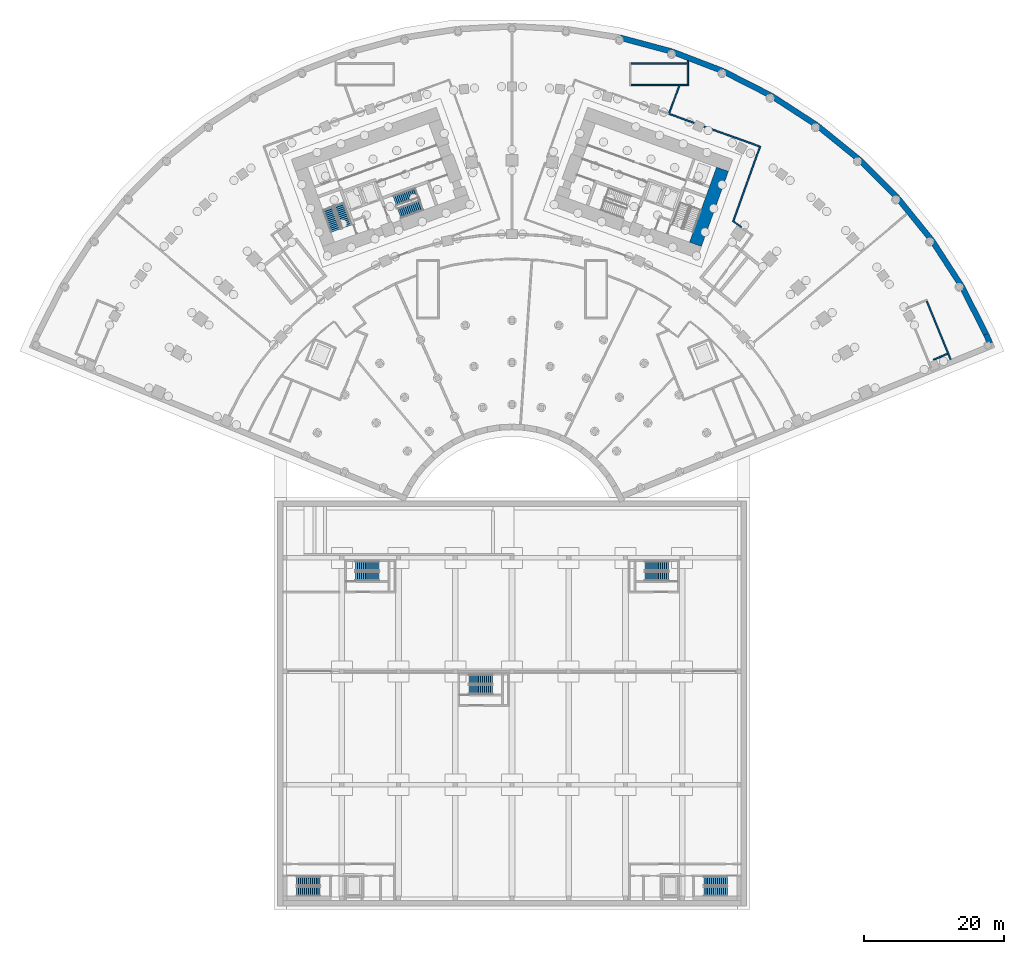
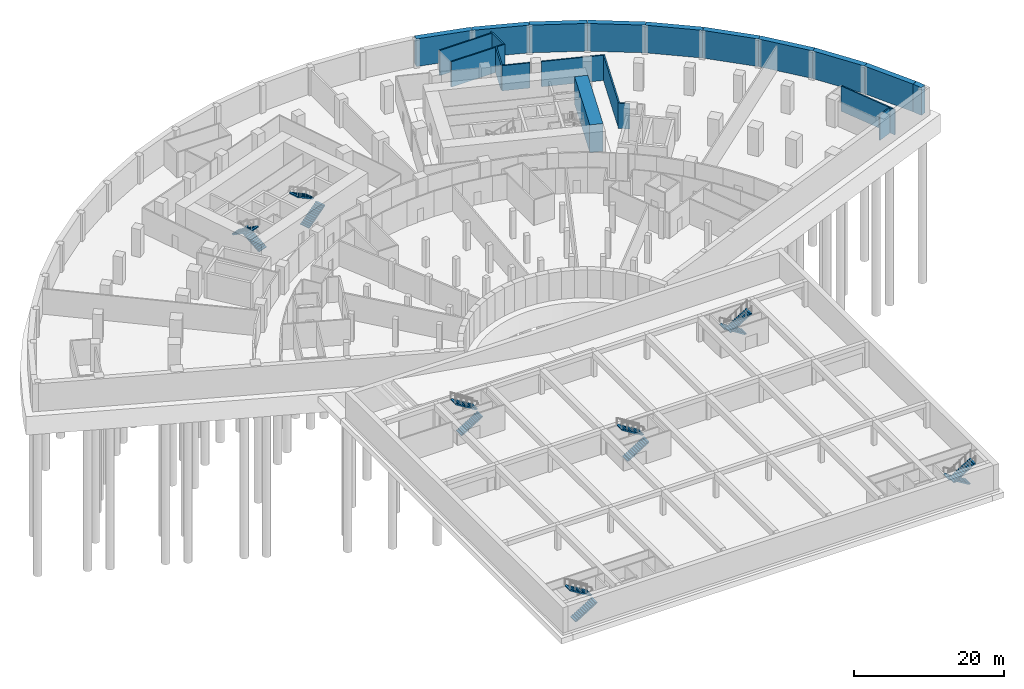
# One storey, part 15 of 25: 22 walls, 14 stair flights, 7 elements without a shape of their own.
"""IFC4 building model written with IfcOpenShell, lengths in metres."""

from ifc_helpers import new_model, si_unit, direction, frame, frame_2d, origin, place, context, subcontext, project, spatial, polyline, rectangle, outline, extrude, material, layer, layer_set, type_object, element, aggregate, save


model = new_model("IFC4")

# Units and contexts
model_context = context("Model", 3, precision=1e-05, world=origin(), true_north=direction((0.0, 1.0)))
body_context = subcontext(model_context, "Body", "Model", "MODEL_VIEW")
ifc_project = project(units=[si_unit("LENGTHUNIT", "METRE"), si_unit("AREAUNIT", "SQUARE_METRE"), si_unit("VOLUMEUNIT", "CUBIC_METRE"), si_unit("PLANEANGLEUNIT", "RADIAN"), si_unit("MASSUNIT", "GRAM", prefix="KILO")], contexts=[model_context])

# Site, building, storey
site_placement = place(None, origin())
site = spatial("IfcSite", under=ifc_project, at=site_placement, CompositionType="ELEMENT")
building_placement = place(site_placement, origin())
building = spatial("IfcBuilding", under=site, at=building_placement, Name="Stone Belt Terrace Tower", CompositionType="ELEMENT")
storey_placement = place(building_placement, frame((0.0, 0.0, -13.5)))
storey = spatial("IfcBuildingStorey", under=building, at=storey_placement, Name="B3", CompositionType="ELEMENT", Elevation=-13.5)

# Walls
ifc_material_1 = material(Name="Concrete B30", Category="concrete")
ifc_layer_1 = layer(ifc_material_1, 0.800048828125)
ifc_layer_set_1 = layer_set([ifc_layer_1], Name="Basement wall 800 B30")
wall_type_1 = type_object("IfcWallType", Name="Basement wall 800 B30", PredefinedType="SHEAR", material=ifc_layer_set_1)
wall_1_placement = place(storey_placement, frame((68.25, 28.837646484375, 0.0), z_axis=(0.0, 0.0, 1.0), x_axis=(-0.393052783466, 0.919515910362, 0.0)))
element("IfcWall", 1, at=wall_1_placement, inside=storey, type_object=wall_type_1, Name="Basement wall B3 24", PredefinedType="SHEAR", context=body_context, shape_type="SweptSolid", body=[
    extrude(rectangle(XDim=1.39453125, YDim=0.800048828125, at=frame_2d((0.697265625, 0.0))), origin(), (0.0, 0.0, 1.0), 4.5),
])
wall_2_placement = place(storey_placement, frame((67.6904296875, 30.144287109375, 0.0), z_axis=(0.0, 0.0, 1.0), x_axis=(-0.453998176185, 0.891002612803, 0.0)))
element("IfcWall", 2, at=wall_2_placement, inside=storey, type_object=wall_type_1, Name="Basement wall B3 25", PredefinedType="SHEAR", context=body_context, shape_type="SweptSolid", body=[
    extrude(rectangle(XDim=7.729248046875, YDim=0.800048828125, at=frame_2d((3.86474609375, 0.0))), origin(), (0.0, 0.0, 1.0), 4.5),
])
for number, where, z_axis, x_axis, name in (
    (3, (64.16064453125, 37.0673828125, 0.0), (0.0, 0.0, 1.0), (-0.544654589696, 0.838660466412, 0.0), "Basement wall B3 26"),
    (4, (59.9345703125, 43.57080078125, 0.0), (0.0, 0.0, 1.0), (-0.629319306922, 0.777146839365, 0.0), "Basement wall B3 27"),
    (5, (55.0517578125, 49.596923828125, 0.0), (0.0, 0.0, 1.0), (-0.707106781187, 0.707106781187, 0.0), "Basement wall B3 28"),
    (6, (49.56591796875, 55.079833984375, 0.0), (0.0, 0.0, 1.0), (-0.777146839365, 0.629319306922, 0.0), "Basement wall B3 29"),
    (7, (43.537109375, 59.958984375, 0.0), (0.0, 0.0, 1.0), (-0.838660466412, 0.544654589696, 0.0), "Basement wall B3 30"),
):
    element("IfcWall", number, at=place(storey_placement, frame(where, z_axis=z_axis, x_axis=x_axis)), inside=storey, type_object=wall_type_1, Name=name, PredefinedType="SHEAR", context=body_context, shape_type="SweptSolid", body=[
        extrude(rectangle(XDim=7.71435546875, YDim=0.800048828125, at=frame_2d((3.857177734375, 0.0))), origin(), (0.0, 0.0, 1.0), 4.5),
    ])
wall_3_placement = place(storey_placement, frame((37.031005859375, 64.181396484375, 0.0), z_axis=(0.0, 0.0, 1.0), x_axis=(-0.89100229919, 0.45399879167, 0.0)))
element("IfcWall", 8, at=wall_3_placement, inside=storey, type_object=wall_type_1, Name="Basement wall B3 31", PredefinedType="SHEAR", context=body_context, shape_type="SweptSolid", body=[
    extrude(rectangle(XDim=7.714111328125, YDim=0.800048828125, at=frame_2d((3.85693359375, 0.0))), origin(), (0.0, 0.0, 1.0), 4.5),
])
wall_4_placement = place(storey_placement, frame((30.119384765625, 67.70068359375, 0.0), z_axis=(0.0, 0.0, 1.0), x_axis=(-0.933576245877, 0.358378840243, 0.0)))
element("IfcWall", 9, at=wall_4_placement, inside=storey, type_object=wall_type_1, Name="Basement wall B3 32", PredefinedType="SHEAR", context=body_context, shape_type="SweptSolid", body=[
    extrude(rectangle(XDim=7.71435546875, YDim=0.800048828125, at=frame_2d((3.857177734375, 0.0))), origin(), (0.0, 0.0, 1.0), 4.5),
])
wall_5_placement = place(storey_placement, frame((22.877685546875, 70.478271484375, 0.0), z_axis=(0.0, 0.0, 1.0), x_axis=(-0.965924317831, 0.25882467468, 0.0)))
element("IfcWall", 10, at=wall_5_placement, inside=storey, type_object=wall_type_1, Name="Basement wall B3 33", PredefinedType="SHEAR", context=body_context, shape_type="SweptSolid", body=[
    extrude(rectangle(XDim=7.714111328125, YDim=0.800048828125, at=frame_2d((3.85693359375, 0.0))), origin(), (0.0, 0.0, 1.0), 4.5),
])
ifc_material_2 = material(Name="Concrete B80", Category="concrete")
ifc_layer_2 = layer(ifc_material_2, 1.800048828125)
ifc_layer_set_2 = layer_set([ifc_layer_2], Name="Core wall 1800 B80")
wall_type_2 = type_object("IfcWallType", Name="Core wall 1800 B80", PredefinedType="SHEAR", material=ifc_layer_set_2)
wall_6_placement = place(storey_placement, frame((26.197509765625, 42.96728515625, 0.0), z_axis=(0.0, 0.0, 1.0), x_axis=(0.338625431531, 0.940921259788, 0.0)))
element("IfcWall", 11, at=wall_6_placement, inside=storey, type_object=wall_type_2, Name="Core B wall end_b B3", PredefinedType="SHEAR", context=body_context, shape_type="SweptSolid", body=[
    extrude(rectangle(XDim=11.400146484375, YDim=1.800048828125, at=frame_2d((5.7001953125, 0.0))), origin(), (0.0, 0.0, 1.0), 4.5),
])
ifc_material_3 = material(Name="Blockwork wall, plastered both faces", Category="masonry")
ifc_layer_3 = layer(ifc_material_3, 0.199951171875)
ifc_layer_set_3 = layer_set([ifc_layer_3], Name="Podium demising wall 200")
wall_type_3 = type_object("IfcWallType", Name="Podium demising wall 200", PredefinedType="PARTITIONING", material=ifc_layer_set_3)
wall_7_placement = place(storey_placement, frame((22.409912109375, 61.60009765625, 0.0), z_axis=(0.0, 0.0, 1.0), x_axis=(0.940959409468, -0.338519408209, 0.0)))
element("IfcWall", 12, at=wall_7_placement, inside=storey, type_object=wall_type_3, Name="Podium demising wall 200", PredefinedType="PARTITIONING", context=body_context, shape_type="SweptSolid", body=[
    extrude(rectangle(XDim=3.802978515625, YDim=0.199951171875, at=frame_2d((1.9013671875, 0.0))), origin(), (0.0, 0.0, 1.0), 4.10009765625),
])
wall_8_placement = place(storey_placement, frame((27.44580078125, 59.78857421875, 0.0), z_axis=(0.0, 0.0, 1.0), x_axis=(0.940971591523, -0.338485544663, 0.0)))
element("IfcWall", 13, at=wall_8_placement, inside=storey, type_object=wall_type_3, Name="Podium demising wall 200", PredefinedType="PARTITIONING", context=body_context, shape_type="SweptSolid", body=[
    extrude(rectangle(XDim=8.574462890625, YDim=0.199951171875, at=frame_2d((4.287109375, 0.0))), origin(), (0.0, 0.0, 1.0), 4.10009765625),
])
wall_9_placement = place(storey_placement, frame((22.453125, 61.691162109375, 0.0), z_axis=(0.0, 0.0, 1.0), x_axis=(0.342095472718, 0.93966519971, 0.0)))
element("IfcWall", 14, at=wall_9_placement, inside=storey, type_object=wall_type_3, Name="Podium demising wall 200", PredefinedType="PARTITIONING", context=body_context, shape_type="SweptSolid", body=[
    extrude(rectangle(XDim=4.39404296875, YDim=0.199951171875, at=frame_2d((2.197021484375, 0.0))), origin(), (0.0, 0.0, 1.0), 4.10009765625),
])
wall_10_placement = place(storey_placement, frame((31.505615234375, 46.331298828125, 0.0), z_axis=(0.0, 0.0, 1.0), x_axis=(0.809238714249, -0.587479959965, 0.0)))
element("IfcWall", 15, at=wall_10_placement, inside=storey, type_object=wall_type_3, Name="Podium demising wall 200", PredefinedType="PARTITIONING", context=body_context, shape_type="SweptSolid", body=[
    extrude(rectangle(XDim=1.553466796875, YDim=0.199951171875, at=frame_2d((0.77685546875, 0.0))), origin(), (0.0, 0.0, 1.0), 4.10009765625),
])
wall_11_placement = place(storey_placement, frame((31.6328125, 46.388671875, 0.0), z_axis=(0.0, 0.0, 1.0), x_axis=(0.338400660115, 0.941002121801, 0.0)))
element("IfcWall", 16, at=wall_11_placement, inside=storey, type_object=wall_type_3, Name="Podium demising wall 200", PredefinedType="PARTITIONING", context=body_context, shape_type="SweptSolid", body=[
    extrude(rectangle(XDim=11.091552734375, YDim=0.199951171875, at=frame_2d((5.5458984375, 0.0))), origin(), (0.0, 0.0, 1.0), 4.10009765625),
])
ifc_layer_4 = layer(ifc_material_1, 0.199951171875)
ifc_layer_set_4 = layer_set([ifc_layer_4], Name="Podium stair and shaft wall 200")
wall_type_4 = type_object("IfcWallType", Name="Podium stair and shaft wall 200", PredefinedType="SOLIDWALL", material=ifc_layer_set_4)
wall_12_placement = place(storey_placement, frame((16.989990234375, 65.719970703125, 0.0), z_axis=(0.0, 0.0, 1.0), x_axis=(1.0, 0.0, 0.0)))
element("IfcWall", 17, at=wall_12_placement, inside=storey, type_object=wall_type_4, Name="Podium stair and shaft wall 200", PredefinedType="SOLIDWALL", context=body_context, shape_type="SweptSolid", body=[
    extrude(rectangle(XDim=7.060302734375, YDim=0.199951171875, at=frame_2d((3.5302734375, 0.0))), origin(), (0.0, 0.0, 1.0), 4.10009765625),
])
wall_13_placement = place(storey_placement, frame((16.989990234375, 68.780029296875, 0.0), z_axis=(0.0, 0.0, 1.0), x_axis=(1.0, 0.0, 0.0)))
element("IfcWall", 18, at=wall_13_placement, inside=storey, type_object=wall_type_4, Name="Podium stair and shaft wall 200", PredefinedType="SOLIDWALL", context=body_context, shape_type="SweptSolid", body=[
    extrude(rectangle(XDim=8.02001953125, YDim=0.199951171875, at=frame_2d((4.010009765625, 0.0))), origin(), (0.0, 0.0, 1.0), 4.10009765625),
])
wall_14_placement = place(storey_placement, frame((24.05029296875, 65.719970703125, 0.0), z_axis=(0.0, 0.0, 1.0), x_axis=(1.0, 0.0, 0.0)))
element("IfcWall", 19, at=wall_14_placement, inside=storey, type_object=wall_type_4, Name="Podium stair and shaft wall 200", PredefinedType="SOLIDWALL", context=body_context, shape_type="SweptSolid", body=[
    extrude(rectangle(XDim=1.15966796875, YDim=0.199951171875, at=frame_2d((0.579833984375, 0.0))), origin(), (0.0, 0.0, 1.0), 4.10009765625),
])
wall_15_placement = place(storey_placement, frame((25.110107421875, 65.822021484375, 0.0), z_axis=(0.0, 0.0, 1.0), x_axis=(0.0, 1.0, 0.0)))
element("IfcWall", 20, at=wall_15_placement, inside=storey, type_object=wall_type_4, Name="Podium stair and shaft wall 200", PredefinedType="SOLIDWALL", context=body_context, shape_type="SweptSolid", body=[
    extrude(rectangle(XDim=3.334228515625, YDim=0.199951171875, at=frame_2d((1.6669921875, 0.0))), origin(), (0.0, 0.0, 1.0), 4.10009765625),
])
wall_16_placement = place(storey_placement, frame((59.218017578125, 34.887451171875, 0.0), z_axis=(0.0, 0.0, 1.0), x_axis=(0.379337507632, -0.925258372188, 0.0)))
element("IfcWall", 21, at=wall_16_placement, inside=storey, type_object=wall_type_4, Name="Podium stair and shaft wall 200", PredefinedType="SOLIDWALL", context=body_context, shape_type="SweptSolid", body=[
    extrude(rectangle(XDim=9.01025390625, YDim=0.199951171875, at=frame_2d((4.505126953125, 0.0))), origin(), (0.0, 0.0, 1.0), 4.10009765625),
])
wall_17_placement = place(storey_placement, frame((60.163818359375, 26.4912109375, 0.0), z_axis=(0.0, 0.0, 1.0), x_axis=(0.924790168115, 0.380477522278, 0.0)))
element("IfcWall", 22, at=wall_17_placement, inside=storey, type_object=wall_type_4, Name="Podium stair and shaft wall 200", PredefinedType="SOLIDWALL", context=body_context, shape_type="SweptSolid", body=[
    extrude(rectangle(XDim=2.2099609375, YDim=0.199951171875, at=frame_2d((1.10498046875, 0.0))), origin(), (0.0, 0.0, 1.0), 4.10009765625),
])

# Stair, stair flights
stair_type_1 = type_object("IfcStairType", Name="Car park stair 1200", PredefinedType="HALF_TURN_STAIR", material=ifc_material_1)
stair_1_placement = place(storey_placement, origin())
stair_1 = element("IfcStair", 23, at=stair_1_placement, inside=storey, type_object=stair_type_1, Name="B3 Car park stair 1", PredefinedType="HALF_TURN_STAIR")
ifc_layer_5 = layer(ifc_material_1, 0.14990234375)
ifc_layer_set_5 = layer_set([ifc_layer_5], Name="Car park stair flight 1200")
stair_flight_type_1 = type_object("IfcStairFlightType", Name="Car park stair flight 1200", PredefinedType="STRAIGHT", material=ifc_layer_set_5)
stair_flight_1_placement = place(storey_placement, frame((-30.75, -49.425048828125, 0.0), z_axis=(0.0, 0.0, 1.0), x_axis=(1.0, 0.0, 0.0)))
stair_flight_1 = element("IfcStairFlight", 24, at=stair_flight_1_placement, type_object=stair_flight_type_1, Name="CS1 flight 1", NumberOfRisers=13, NumberOfTreads=12, PredefinedType="STRAIGHT", RiserHeight=0.173076923, TreadLength=0.28, context=body_context, shape_type="SweptSolid", body=[
    extrude(outline(polyline([(0.0, 0.0), (0.0, 0.173095703125), (0.280029296875, 0.173095703125), (0.280029296875, 0.34619140625), (0.56005859375, 0.34619140625), (0.56005859375, 0.519287109375), (0.840087890625, 0.519287109375), (0.840087890625, 0.6923828125), (1.1201171875, 0.6923828125), (1.1201171875, 0.865478515625), (1.39990234375, 0.865478515625), (1.39990234375, 1.03857421875), (1.679931640625, 1.03857421875), (1.679931640625, 1.21142578125), (1.9599609375, 1.21142578125), (1.9599609375, 1.384521484375), (2.239990234375, 1.384521484375), (2.239990234375, 1.5576171875), (2.52001953125, 1.5576171875), (2.52001953125, 1.730712890625), (2.800048828125, 1.730712890625), (2.800048828125, 1.90380859375), (3.080078125, 1.90380859375), (3.080078125, 2.076904296875), (3.360107421875, 2.076904296875), (3.360107421875, 2.25), (3.360107421875, 1.900634765625), (0.28515625, 0.0), (0.0, 0.0)])), frame((0.0, 0.675048828125, 0.0), z_axis=(0.0, -1.0, 0.0), x_axis=(1.0, 0.0, 0.0)), (0.0, 0.0, 1.0), 1.35009765625),
])
stair_flight_2_placement = place(storey_placement, frame((-27.389892578125, -47.97509765625, 2.25), z_axis=(0.0, 0.0, 1.0), x_axis=(-1.0, 0.0, 0.0)))
stair_flight_2 = element("IfcStairFlight", 25, at=stair_flight_2_placement, type_object=stair_flight_type_1, Name="CS1 flight 2", NumberOfRisers=13, NumberOfTreads=12, PredefinedType="STRAIGHT", RiserHeight=0.173076923, TreadLength=0.28, context=body_context, shape_type="SweptSolid", body=[
    extrude(outline(polyline([(0.0, 0.0), (0.0, 0.173095703125), (0.280029296875, 0.173095703125), (0.280029296875, 0.34619140625), (0.56005859375, 0.34619140625), (0.56005859375, 0.519287109375), (0.840087890625, 0.519287109375), (0.840087890625, 0.6923828125), (1.1201171875, 0.6923828125), (1.1201171875, 0.865478515625), (1.39990234375, 0.865478515625), (1.39990234375, 1.03857421875), (1.679931640625, 1.03857421875), (1.679931640625, 1.21142578125), (1.9599609375, 1.21142578125), (1.9599609375, 1.384521484375), (2.239990234375, 1.384521484375), (2.239990234375, 1.5576171875), (2.52001953125, 1.5576171875), (2.52001953125, 1.730712890625), (2.800048828125, 1.730712890625), (2.800048828125, 1.90380859375), (3.080078125, 1.90380859375), (3.080078125, 2.076904296875), (3.360107421875, 2.076904296875), (3.360107421875, 2.25), (3.360107421875, 1.900634765625), (0.28515625, 0.0), (0.0, 0.0)])), frame((0.0, 0.675048828125, 0.0), z_axis=(0.0, -1.0, 0.0), x_axis=(1.0, 0.0, 0.0)), (0.0, 0.0, 1.0), 1.35009765625),
])
aggregate(stair_1, [stair_flight_1, stair_flight_2])

stair_2_placement = place(storey_placement, origin())
stair_2 = element("IfcStair", 26, at=stair_2_placement, inside=storey, type_object=stair_type_1, Name="B3 Car park stair 2", PredefinedType="HALF_TURN_STAIR")
stair_flight_3_placement = place(storey_placement, frame((30.75, -47.97509765625, 0.0), z_axis=(0.0, 0.0, 1.0), x_axis=(-1.0, 0.0, 0.0)))
stair_flight_3 = element("IfcStairFlight", 27, at=stair_flight_3_placement, type_object=stair_flight_type_1, Name="CS2 flight 1", NumberOfRisers=13, NumberOfTreads=12, PredefinedType="STRAIGHT", RiserHeight=0.173076923, TreadLength=0.28, context=body_context, shape_type="SweptSolid", body=[
    extrude(outline(polyline([(0.0, 0.0), (0.0, 0.173095703125), (0.280029296875, 0.173095703125), (0.280029296875, 0.34619140625), (0.56005859375, 0.34619140625), (0.56005859375, 0.519287109375), (0.840087890625, 0.519287109375), (0.840087890625, 0.6923828125), (1.1201171875, 0.6923828125), (1.1201171875, 0.865478515625), (1.39990234375, 0.865478515625), (1.39990234375, 1.03857421875), (1.679931640625, 1.03857421875), (1.679931640625, 1.21142578125), (1.9599609375, 1.21142578125), (1.9599609375, 1.384521484375), (2.239990234375, 1.384521484375), (2.239990234375, 1.5576171875), (2.52001953125, 1.5576171875), (2.52001953125, 1.730712890625), (2.800048828125, 1.730712890625), (2.800048828125, 1.90380859375), (3.080078125, 1.90380859375), (3.080078125, 2.076904296875), (3.360107421875, 2.076904296875), (3.360107421875, 2.25), (3.360107421875, 1.900634765625), (0.28515625, 0.0), (0.0, 0.0)])), frame((0.0, 0.675048828125, 0.0), z_axis=(0.0, -1.0, 0.0), x_axis=(1.0, 0.0, 0.0)), (0.0, 0.0, 1.0), 1.35009765625),
])
stair_flight_4_placement = place(storey_placement, frame((27.389892578125, -49.425048828125, 2.25), z_axis=(0.0, 0.0, 1.0), x_axis=(1.0, 0.0, 0.0)))
stair_flight_4 = element("IfcStairFlight", 28, at=stair_flight_4_placement, type_object=stair_flight_type_1, Name="CS2 flight 2", NumberOfRisers=13, NumberOfTreads=12, PredefinedType="STRAIGHT", RiserHeight=0.173076923, TreadLength=0.28, context=body_context, shape_type="SweptSolid", body=[
    extrude(outline(polyline([(0.0, 0.0), (0.0, 0.173095703125), (0.280029296875, 0.173095703125), (0.280029296875, 0.34619140625), (0.56005859375, 0.34619140625), (0.56005859375, 0.519287109375), (0.840087890625, 0.519287109375), (0.840087890625, 0.6923828125), (1.1201171875, 0.6923828125), (1.1201171875, 0.865478515625), (1.39990234375, 0.865478515625), (1.39990234375, 1.03857421875), (1.679931640625, 1.03857421875), (1.679931640625, 1.21142578125), (1.9599609375, 1.21142578125), (1.9599609375, 1.384521484375), (2.239990234375, 1.384521484375), (2.239990234375, 1.5576171875), (2.52001953125, 1.5576171875), (2.52001953125, 1.730712890625), (2.800048828125, 1.730712890625), (2.800048828125, 1.90380859375), (3.080078125, 1.90380859375), (3.080078125, 2.076904296875), (3.360107421875, 2.076904296875), (3.360107421875, 2.25), (3.360107421875, 1.900634765625), (0.28515625, 0.0), (0.0, 0.0)])), frame((0.0, 0.675048828125, 0.0), z_axis=(0.0, -1.0, 0.0), x_axis=(1.0, 0.0, 0.0)), (0.0, 0.0, 1.0), 1.35009765625),
])
aggregate(stair_2, [stair_flight_3, stair_flight_4])

stair_3_placement = place(storey_placement, origin())
stair_3 = element("IfcStair", 29, at=stair_3_placement, inside=storey, type_object=stair_type_1, Name="B3 Car park stair 3", PredefinedType="HALF_TURN_STAIR")
stair_flight_5_placement = place(storey_placement, frame((-22.35009765625, -4.425048828125, 0.0), z_axis=(0.0, 0.0, 1.0), x_axis=(1.0, 0.0, 0.0)))
stair_flight_5 = element("IfcStairFlight", 30, at=stair_flight_5_placement, type_object=stair_flight_type_1, Name="CS3 flight 1", NumberOfRisers=13, NumberOfTreads=12, PredefinedType="STRAIGHT", RiserHeight=0.173076923, TreadLength=0.28, context=body_context, shape_type="SweptSolid", body=[
    extrude(outline(polyline([(0.0, 0.0), (0.0, 0.173095703125), (0.280029296875, 0.173095703125), (0.280029296875, 0.34619140625), (0.56005859375, 0.34619140625), (0.56005859375, 0.519287109375), (0.840087890625, 0.519287109375), (0.840087890625, 0.6923828125), (1.1201171875, 0.6923828125), (1.1201171875, 0.865478515625), (1.39990234375, 0.865478515625), (1.39990234375, 1.03857421875), (1.679931640625, 1.03857421875), (1.679931640625, 1.21142578125), (1.9599609375, 1.21142578125), (1.9599609375, 1.384521484375), (2.239990234375, 1.384521484375), (2.239990234375, 1.5576171875), (2.52001953125, 1.5576171875), (2.52001953125, 1.730712890625), (2.800048828125, 1.730712890625), (2.800048828125, 1.90380859375), (3.080078125, 1.90380859375), (3.080078125, 2.076904296875), (3.360107421875, 2.076904296875), (3.360107421875, 2.25), (3.360107421875, 1.900634765625), (0.28515625, 0.0), (0.0, 0.0)])), frame((0.0, 0.675048828125, 0.0), z_axis=(0.0, -1.0, 0.0), x_axis=(1.0, 0.0, 0.0)), (0.0, 0.0, 1.0), 1.35009765625),
])
stair_flight_6_placement = place(storey_placement, frame((-18.989990234375, -2.97509765625, 2.25), z_axis=(0.0, 0.0, 1.0), x_axis=(-1.0, 0.0, 0.0)))
stair_flight_6 = element("IfcStairFlight", 31, at=stair_flight_6_placement, type_object=stair_flight_type_1, Name="CS3 flight 2", NumberOfRisers=13, NumberOfTreads=12, PredefinedType="STRAIGHT", RiserHeight=0.173076923, TreadLength=0.28, context=body_context, shape_type="SweptSolid", body=[
    extrude(outline(polyline([(0.0, 0.0), (0.0, 0.173095703125), (0.280029296875, 0.173095703125), (0.280029296875, 0.34619140625), (0.56005859375, 0.34619140625), (0.56005859375, 0.519287109375), (0.840087890625, 0.519287109375), (0.840087890625, 0.6923828125), (1.1201171875, 0.6923828125), (1.1201171875, 0.865478515625), (1.39990234375, 0.865478515625), (1.39990234375, 1.03857421875), (1.679931640625, 1.03857421875), (1.679931640625, 1.21142578125), (1.9599609375, 1.21142578125), (1.9599609375, 1.384521484375), (2.239990234375, 1.384521484375), (2.239990234375, 1.5576171875), (2.52001953125, 1.5576171875), (2.52001953125, 1.730712890625), (2.800048828125, 1.730712890625), (2.800048828125, 1.90380859375), (3.080078125, 1.90380859375), (3.080078125, 2.076904296875), (3.360107421875, 2.076904296875), (3.360107421875, 2.25), (3.360107421875, 1.900634765625), (0.28515625, 0.0), (0.0, 0.0)])), frame((0.0, 0.675048828125, 0.0), z_axis=(0.0, -1.0, 0.0), x_axis=(1.0, 0.0, 0.0)), (0.0, 0.0, 1.0), 1.35009765625),
])
aggregate(stair_3, [stair_flight_5, stair_flight_6])

stair_4_placement = place(storey_placement, origin())
stair_4 = element("IfcStair", 32, at=stair_4_placement, inside=storey, type_object=stair_type_1, Name="B3 Car park stair 4", PredefinedType="HALF_TURN_STAIR")
stair_flight_7_placement = place(storey_placement, frame((22.35009765625, -2.97509765625, 0.0), z_axis=(0.0, 0.0, 1.0), x_axis=(-1.0, 0.0, 0.0)))
stair_flight_7 = element("IfcStairFlight", 33, at=stair_flight_7_placement, type_object=stair_flight_type_1, Name="CS4 flight 1", NumberOfRisers=13, NumberOfTreads=12, PredefinedType="STRAIGHT", RiserHeight=0.173076923, TreadLength=0.28, context=body_context, shape_type="SweptSolid", body=[
    extrude(outline(polyline([(0.0, 0.0), (0.0, 0.173095703125), (0.280029296875, 0.173095703125), (0.280029296875, 0.34619140625), (0.56005859375, 0.34619140625), (0.56005859375, 0.519287109375), (0.840087890625, 0.519287109375), (0.840087890625, 0.6923828125), (1.1201171875, 0.6923828125), (1.1201171875, 0.865478515625), (1.39990234375, 0.865478515625), (1.39990234375, 1.03857421875), (1.679931640625, 1.03857421875), (1.679931640625, 1.21142578125), (1.9599609375, 1.21142578125), (1.9599609375, 1.384521484375), (2.239990234375, 1.384521484375), (2.239990234375, 1.5576171875), (2.52001953125, 1.5576171875), (2.52001953125, 1.730712890625), (2.800048828125, 1.730712890625), (2.800048828125, 1.90380859375), (3.080078125, 1.90380859375), (3.080078125, 2.076904296875), (3.360107421875, 2.076904296875), (3.360107421875, 2.25), (3.360107421875, 1.900634765625), (0.28515625, 0.0), (0.0, 0.0)])), frame((0.0, 0.675048828125, 0.0), z_axis=(0.0, -1.0, 0.0), x_axis=(1.0, 0.0, 0.0)), (0.0, 0.0, 1.0), 1.35009765625),
])
stair_flight_8_placement = place(storey_placement, frame((18.989990234375, -4.425048828125, 2.25), z_axis=(0.0, 0.0, 1.0), x_axis=(1.0, 0.0, 0.0)))
stair_flight_8 = element("IfcStairFlight", 34, at=stair_flight_8_placement, type_object=stair_flight_type_1, Name="CS4 flight 2", NumberOfRisers=13, NumberOfTreads=12, PredefinedType="STRAIGHT", RiserHeight=0.173076923, TreadLength=0.28, context=body_context, shape_type="SweptSolid", body=[
    extrude(outline(polyline([(0.0, 0.0), (0.0, 0.173095703125), (0.280029296875, 0.173095703125), (0.280029296875, 0.34619140625), (0.56005859375, 0.34619140625), (0.56005859375, 0.519287109375), (0.840087890625, 0.519287109375), (0.840087890625, 0.6923828125), (1.1201171875, 0.6923828125), (1.1201171875, 0.865478515625), (1.39990234375, 0.865478515625), (1.39990234375, 1.03857421875), (1.679931640625, 1.03857421875), (1.679931640625, 1.21142578125), (1.9599609375, 1.21142578125), (1.9599609375, 1.384521484375), (2.239990234375, 1.384521484375), (2.239990234375, 1.5576171875), (2.52001953125, 1.5576171875), (2.52001953125, 1.730712890625), (2.800048828125, 1.730712890625), (2.800048828125, 1.90380859375), (3.080078125, 1.90380859375), (3.080078125, 2.076904296875), (3.360107421875, 2.076904296875), (3.360107421875, 2.25), (3.360107421875, 1.900634765625), (0.28515625, 0.0), (0.0, 0.0)])), frame((0.0, 0.675048828125, 0.0), z_axis=(0.0, -1.0, 0.0), x_axis=(1.0, 0.0, 0.0)), (0.0, 0.0, 1.0), 1.35009765625),
])
aggregate(stair_4, [stair_flight_7, stair_flight_8])

stair_5_placement = place(storey_placement, origin())
stair_5 = element("IfcStair", 35, at=stair_5_placement, inside=storey, type_object=stair_type_1, Name="B3 Car park stair 5", PredefinedType="HALF_TURN_STAIR")
stair_flight_9_placement = place(storey_placement, frame((-6.14990234375, -20.625, 0.0), z_axis=(0.0, 0.0, 1.0), x_axis=(1.0, 0.0, 0.0)))
stair_flight_9 = element("IfcStairFlight", 36, at=stair_flight_9_placement, type_object=stair_flight_type_1, Name="CS5 flight 1", NumberOfRisers=13, NumberOfTreads=12, PredefinedType="STRAIGHT", RiserHeight=0.173076923, TreadLength=0.28, context=body_context, shape_type="SweptSolid", body=[
    extrude(outline(polyline([(0.0, 0.0), (0.0, 0.173095703125), (0.280029296875, 0.173095703125), (0.280029296875, 0.34619140625), (0.56005859375, 0.34619140625), (0.56005859375, 0.519287109375), (0.840087890625, 0.519287109375), (0.840087890625, 0.6923828125), (1.1201171875, 0.6923828125), (1.1201171875, 0.865478515625), (1.39990234375, 0.865478515625), (1.39990234375, 1.03857421875), (1.679931640625, 1.03857421875), (1.679931640625, 1.21142578125), (1.9599609375, 1.21142578125), (1.9599609375, 1.384521484375), (2.239990234375, 1.384521484375), (2.239990234375, 1.5576171875), (2.52001953125, 1.5576171875), (2.52001953125, 1.730712890625), (2.800048828125, 1.730712890625), (2.800048828125, 1.90380859375), (3.080078125, 1.90380859375), (3.080078125, 2.076904296875), (3.360107421875, 2.076904296875), (3.360107421875, 2.25), (3.360107421875, 1.900634765625), (0.28515625, 0.0), (0.0, 0.0)])), frame((0.0, 0.675048828125, 0.0), z_axis=(0.0, -1.0, 0.0), x_axis=(1.0, 0.0, 0.0)), (0.0, 0.0, 1.0), 1.35009765625),
])
stair_flight_10_placement = place(storey_placement, frame((-2.7900390625, -19.175048828125, 2.25), z_axis=(0.0, 0.0, 1.0), x_axis=(-1.0, 0.0, 0.0)))
stair_flight_10 = element("IfcStairFlight", 37, at=stair_flight_10_placement, type_object=stair_flight_type_1, Name="CS5 flight 2", NumberOfRisers=13, NumberOfTreads=12, PredefinedType="STRAIGHT", RiserHeight=0.173076923, TreadLength=0.28, context=body_context, shape_type="SweptSolid", body=[
    extrude(outline(polyline([(0.0, 0.0), (0.0, 0.173095703125), (0.280029296875, 0.173095703125), (0.280029296875, 0.34619140625), (0.56005859375, 0.34619140625), (0.56005859375, 0.519287109375), (0.840087890625, 0.519287109375), (0.840087890625, 0.6923828125), (1.1201171875, 0.6923828125), (1.1201171875, 0.865478515625), (1.39990234375, 0.865478515625), (1.39990234375, 1.03857421875), (1.679931640625, 1.03857421875), (1.679931640625, 1.21142578125), (1.9599609375, 1.21142578125), (1.9599609375, 1.384521484375), (2.239990234375, 1.384521484375), (2.239990234375, 1.5576171875), (2.52001953125, 1.5576171875), (2.52001953125, 1.730712890625), (2.800048828125, 1.730712890625), (2.800048828125, 1.90380859375), (3.080078125, 1.90380859375), (3.080078125, 2.076904296875), (3.360107421875, 2.076904296875), (3.360107421875, 2.25), (3.360107421875, 1.900634765625), (0.28515625, 0.0), (0.0, 0.0)])), frame((0.0, 0.675048828125, 0.0), z_axis=(0.0, -1.0, 0.0), x_axis=(1.0, 0.0, 0.0)), (0.0, 0.0, 1.0), 1.35009765625),
])
aggregate(stair_5, [stair_flight_9, stair_flight_10])

ifc_material_4 = material(Name="Concrete B40", Category="concrete")
stair_type_2 = type_object("IfcStairType", Name="Exit stair 1500", PredefinedType="HALF_TURN_STAIR", material=ifc_material_4)
stair_6_placement = place(storey_placement, origin())
stair_6 = element("IfcStair", 38, at=stair_6_placement, inside=storey, type_object=stair_type_2, Name="B3 Exit stair 1 core A", PredefinedType="HALF_TURN_STAIR")
stair_flight_type_2 = type_object("IfcStairFlightType", Name="Stair flight 1500", PredefinedType="STRAIGHT", material=ifc_material_4)
stair_flight_11_placement = place(storey_placement, frame((-23.55322265625, 45.51318359375, 0.0), z_axis=(0.0, 0.0, 1.0), x_axis=(-0.338624396177, 0.940921632398, 0.0)))
stair_flight_11 = element("IfcStairFlight", 39, at=stair_flight_11_placement, type_object=stair_flight_type_2, Name="ST1A flight 1", NumberOfRisers=13, NumberOfTreads=12, PredefinedType="STRAIGHT", RiserHeight=0.173076923, TreadLength=0.28, context=body_context, shape_type="SweptSolid", body=[
    extrude(outline(polyline([(0.0, 0.0), (0.0, 0.173095703125), (0.280029296875, 0.173095703125), (0.280029296875, 0.34619140625), (0.56005859375, 0.34619140625), (0.56005859375, 0.519287109375), (0.840087890625, 0.519287109375), (0.840087890625, 0.6923828125), (1.1201171875, 0.6923828125), (1.1201171875, 0.865478515625), (1.39990234375, 0.865478515625), (1.39990234375, 1.03857421875), (1.679931640625, 1.03857421875), (1.679931640625, 1.21142578125), (1.9599609375, 1.21142578125), (1.9599609375, 1.384521484375), (2.239990234375, 1.384521484375), (2.239990234375, 1.5576171875), (2.52001953125, 1.5576171875), (2.52001953125, 1.730712890625), (2.800048828125, 1.730712890625), (2.800048828125, 1.90380859375), (3.080078125, 1.90380859375), (3.080078125, 2.076904296875), (3.360107421875, 2.076904296875), (3.360107421875, 2.25), (3.360107421875, 1.900634765625), (0.28515625, 0.0), (0.0, 0.0)])), frame((0.0, 0.75, 0.0), z_axis=(0.0, -1.0, 0.0), x_axis=(1.0, 0.0, 0.0)), (0.0, 0.0, 1.0), 1.5),
])
stair_flight_12_placement = place(storey_placement, frame((-26.290771484375, 48.098876953125, 2.25), z_axis=(0.0, 0.0, 1.0), x_axis=(0.338624396177, -0.940921632398, 0.0)))
stair_flight_12 = element("IfcStairFlight", 40, at=stair_flight_12_placement, type_object=stair_flight_type_2, Name="ST1A flight 2", NumberOfRisers=13, NumberOfTreads=12, PredefinedType="STRAIGHT", RiserHeight=0.173076923, TreadLength=0.28, context=body_context, shape_type="SweptSolid", body=[
    extrude(outline(polyline([(0.0, 0.0), (0.0, 0.173095703125), (0.280029296875, 0.173095703125), (0.280029296875, 0.34619140625), (0.56005859375, 0.34619140625), (0.56005859375, 0.519287109375), (0.840087890625, 0.519287109375), (0.840087890625, 0.6923828125), (1.1201171875, 0.6923828125), (1.1201171875, 0.865478515625), (1.39990234375, 0.865478515625), (1.39990234375, 1.03857421875), (1.679931640625, 1.03857421875), (1.679931640625, 1.21142578125), (1.9599609375, 1.21142578125), (1.9599609375, 1.384521484375), (2.239990234375, 1.384521484375), (2.239990234375, 1.5576171875), (2.52001953125, 1.5576171875), (2.52001953125, 1.730712890625), (2.800048828125, 1.730712890625), (2.800048828125, 1.90380859375), (3.080078125, 1.90380859375), (3.080078125, 2.076904296875), (3.360107421875, 2.076904296875), (3.360107421875, 2.25), (3.360107421875, 1.900634765625), (0.28515625, 0.0), (0.0, 0.0)])), frame((0.0, 0.75, 0.0), z_axis=(0.0, -1.0, 0.0), x_axis=(1.0, 0.0, 0.0)), (0.0, 0.0, 1.0), 1.5),
])
aggregate(stair_6, [stair_flight_11, stair_flight_12])

stair_7_placement = place(storey_placement, origin())
stair_7 = element("IfcStair", 41, at=stair_7_placement, inside=storey, type_object=stair_type_2, Name="B3 Exit stair 2 core A", PredefinedType="HALF_TURN_STAIR")
stair_flight_13_placement = place(storey_placement, frame((-16.101318359375, 47.39794921875, 0.0), z_axis=(0.0, 0.0, 1.0), x_axis=(0.940921632398, 0.338624396177, 0.0)))
stair_flight_13 = element("IfcStairFlight", 42, at=stair_flight_13_placement, type_object=stair_flight_type_2, Name="ST2A flight 1", NumberOfRisers=13, NumberOfTreads=12, PredefinedType="STRAIGHT", RiserHeight=0.173076923, TreadLength=0.28, context=body_context, shape_type="SweptSolid", body=[
    extrude(outline(polyline([(0.0, 0.0), (0.0, 0.173095703125), (0.280029296875, 0.173095703125), (0.280029296875, 0.34619140625), (0.56005859375, 0.34619140625), (0.56005859375, 0.519287109375), (0.840087890625, 0.519287109375), (0.840087890625, 0.6923828125), (1.1201171875, 0.6923828125), (1.1201171875, 0.865478515625), (1.39990234375, 0.865478515625), (1.39990234375, 1.03857421875), (1.679931640625, 1.03857421875), (1.679931640625, 1.21142578125), (1.9599609375, 1.21142578125), (1.9599609375, 1.384521484375), (2.239990234375, 1.384521484375), (2.239990234375, 1.5576171875), (2.52001953125, 1.5576171875), (2.52001953125, 1.730712890625), (2.800048828125, 1.730712890625), (2.800048828125, 1.90380859375), (3.080078125, 1.90380859375), (3.080078125, 2.076904296875), (3.360107421875, 2.076904296875), (3.360107421875, 2.25), (3.360107421875, 1.900634765625), (0.28515625, 0.0), (0.0, 0.0)])), frame((0.0, 0.75, 0.0), z_axis=(0.0, -1.0, 0.0), x_axis=(1.0, 0.0, 0.0)), (0.0, 0.0, 1.0), 1.5),
])
stair_flight_14_placement = place(storey_placement, frame((-13.583251953125, 50.323486328125, 2.25), z_axis=(0.0, 0.0, 1.0), x_axis=(-0.940921632398, -0.338624396177, 0.0)))
stair_flight_14 = element("IfcStairFlight", 43, at=stair_flight_14_placement, type_object=stair_flight_type_2, Name="ST2A flight 2", NumberOfRisers=13, NumberOfTreads=12, PredefinedType="STRAIGHT", RiserHeight=0.173076923, TreadLength=0.28, context=body_context, shape_type="SweptSolid", body=[
    extrude(outline(polyline([(0.0, 0.0), (0.0, 0.173095703125), (0.280029296875, 0.173095703125), (0.280029296875, 0.34619140625), (0.56005859375, 0.34619140625), (0.56005859375, 0.519287109375), (0.840087890625, 0.519287109375), (0.840087890625, 0.6923828125), (1.1201171875, 0.6923828125), (1.1201171875, 0.865478515625), (1.39990234375, 0.865478515625), (1.39990234375, 1.03857421875), (1.679931640625, 1.03857421875), (1.679931640625, 1.21142578125), (1.9599609375, 1.21142578125), (1.9599609375, 1.384521484375), (2.239990234375, 1.384521484375), (2.239990234375, 1.5576171875), (2.52001953125, 1.5576171875), (2.52001953125, 1.730712890625), (2.800048828125, 1.730712890625), (2.800048828125, 1.90380859375), (3.080078125, 1.90380859375), (3.080078125, 2.076904296875), (3.360107421875, 2.076904296875), (3.360107421875, 2.25), (3.360107421875, 1.900634765625), (0.28515625, 0.0), (0.0, 0.0)])), frame((0.0, 0.75, 0.0), z_axis=(0.0, -1.0, 0.0), x_axis=(1.0, 0.0, 0.0)), (0.0, 0.0, 1.0), 1.5),
])
aggregate(stair_7, [stair_flight_13, stair_flight_14])

save(model, "model.ifc")
